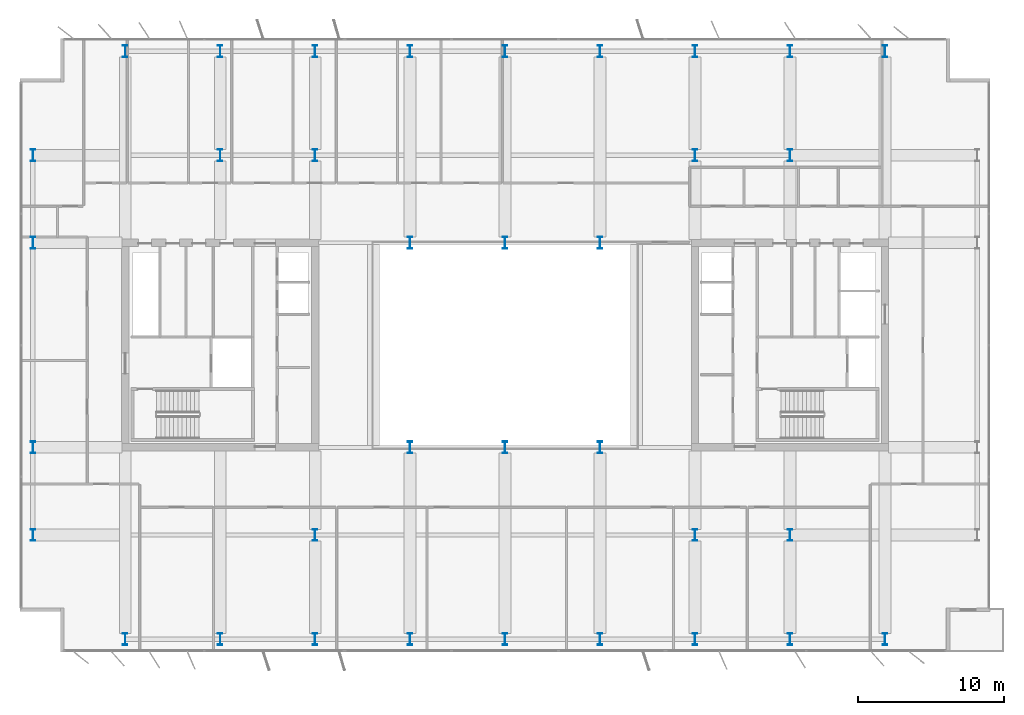
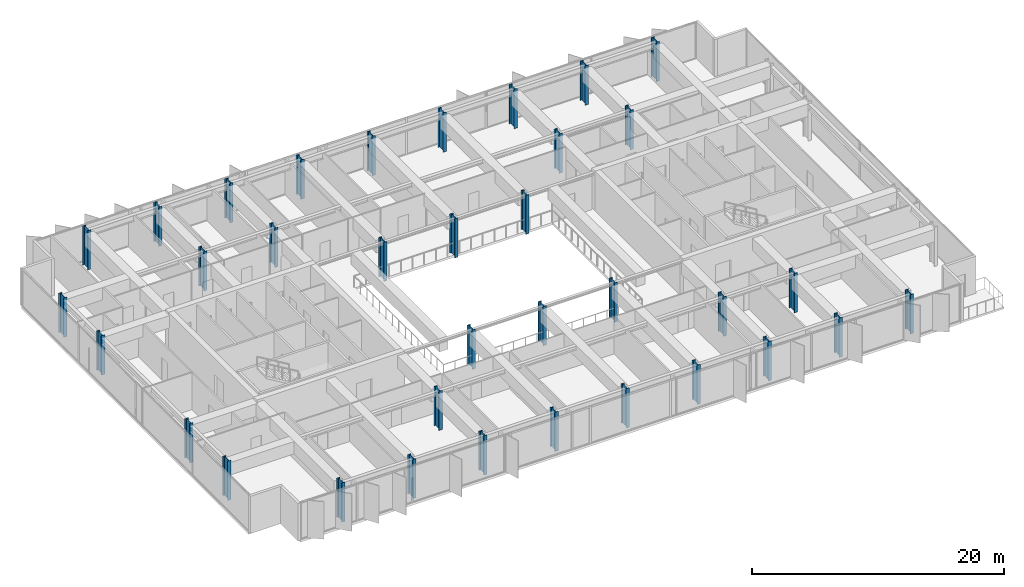
# One storey, part 1 of 24: 35 columns.
"""IFC4 building model written with IfcOpenShell, lengths in metres."""

from ifc_helpers import new_model, si_unit, direction, frame, origin, origin_2d, place, context, subcontext, project, spatial, i_section, extrude, material, material_profile, profile_set, type_object, element, save


model = new_model("IFC4")

# Units and contexts
model_context = context("Model", 3, precision=1e-05, world=origin(), true_north=direction((0.0, 1.0)))
body_context = subcontext(model_context, "Body", "Model", "MODEL_VIEW")
ifc_project = project(units=[si_unit("LENGTHUNIT", "METRE"), si_unit("AREAUNIT", "SQUARE_METRE"), si_unit("VOLUMEUNIT", "CUBIC_METRE"), si_unit("PLANEANGLEUNIT", "RADIAN"), si_unit("MASSUNIT", "GRAM", prefix="KILO")], contexts=[model_context])

# Site, building, storey
site_placement = place(None, origin())
site = spatial("IfcSite", under=ifc_project, at=site_placement, CompositionType="ELEMENT")
building_placement = place(site_placement, origin())
building = spatial("IfcBuilding", under=site, at=building_placement, Name="Putna Gate Headquarters", CompositionType="ELEMENT")
storey_placement = place(building_placement, frame((0.0, 0.0, 251.800048828125)))
storey = spatial("IfcBuildingStorey", under=building, at=storey_placement, Name="L63", CompositionType="ELEMENT", Elevation=251.800048828125)

# Columns
ifc_material = material(Name="Steel S460M", Category="steel")
ifc_material_profile_1 = material_profile(ifc_material, i_section(OverallWidth=0.302978515625, OverallDepth=0.81396484375, WebThickness=0.02099609375, FlangeThickness=0.0400390625, at=origin_2d()), Name="Steel S460M")
ifc_profile_set_1 = profile_set([ifc_material_profile_1], Name="Steel S460M")
column_type_1 = type_object("IfcColumnType", Name="COL-STL-HEM800-EXT", PredefinedType="COLUMN", material=ifc_profile_set_1)
for number, where, z_axis, x_axis, name in (
    (1, (13.0, 5.8798828125, 0.0), (0.0, 0.0, 1.0), (1.0, 0.0, 0.0), "L63 Column CP-S13"),
    (2, (13.0, 46.1201171875, 0.0), (0.0, 0.0, 1.0), (1.0, 0.0, 0.0), "L63 Column CP-N13"),
    (3, (19.5, 5.8798828125, 0.0), (0.0, 0.0, 1.0), (1.0, 0.0, 0.0), "L63 Column CP-S19"),
    (4, (19.5, 46.1201171875, 0.0), (0.0, 0.0, 1.0), (1.0, 0.0, 0.0), "L63 Column CP-N19"),
    (5, (26.0, 5.8798828125, 0.0), (0.0, 0.0, 1.0), (1.0, 0.0, 0.0), "L63 Column CP-S26"),
    (6, (26.0, 46.1201171875, 0.0), (0.0, 0.0, 1.0), (1.0, 0.0, 0.0), "L63 Column CP-N26"),
    (7, (32.5, 5.8798828125, 0.0), (0.0, 0.0, 1.0), (1.0, 0.0, 0.0), "L63 Column CP-S32"),
    (8, (32.5, 46.1201171875, 0.0), (0.0, 0.0, 1.0), (1.0, 0.0, 0.0), "L63 Column CP-N32"),
    (9, (39.0, 5.8798828125, 0.0), (0.0, 0.0, 1.0), (1.0, 0.0, 0.0), "L63 Column CP-S39"),
    (10, (39.0, 46.1201171875, 0.0), (0.0, 0.0, 1.0), (1.0, 0.0, 0.0), "L63 Column CP-N39"),
    (11, (45.5, 5.8798828125, 0.0), (0.0, 0.0, 1.0), (1.0, 0.0, 0.0), "L63 Column CP-S45"),
    (12, (45.5, 46.1201171875, 0.0), (0.0, 0.0, 1.0), (1.0, 0.0, 0.0), "L63 Column CP-N45"),
    (13, (52.0, 5.8798828125, 0.0), (0.0, 0.0, 1.0), (1.0, 0.0, 0.0), "L63 Column CP-S52"),
    (14, (52.0, 46.1201171875, 0.0), (0.0, 0.0, 1.0), (1.0, 0.0, 0.0), "L63 Column CP-N52"),
    (15, (58.5, 5.8798828125, 0.0), (0.0, 0.0, 1.0), (1.0, 0.0, 0.0), "L63 Column CP-S58"),
    (16, (58.5, 46.1201171875, 0.0), (0.0, 0.0, 1.0), (1.0, 0.0, 0.0), "L63 Column CP-N58"),
    (17, (65.0, 5.8798828125, 0.0), (0.0, 0.0, 1.0), (1.0, 0.0, 0.0), "L63 Column CP-S65"),
    (18, (65.0, 46.1201171875, 0.0), (0.0, 0.0, 1.0), (1.0, 0.0, 0.0), "L63 Column CP-N65"),
    (19, (6.679931640625, 13.0, 0.0), (0.0, 0.0, 1.0), (1.0, 0.0, 0.0), "L63 Column CP-W13"),
    (20, (6.679931640625, 19.0, 0.0), (0.0, 0.0, 1.0), (1.0, 0.0, 0.0), "L63 Column CP-W19"),
    (21, (6.679931640625, 33.0, 0.0), (0.0, 0.0, 1.0), (1.0, 0.0, 0.0), "L63 Column CP-W33"),
    (22, (6.679931640625, 39.0, 0.0), (0.0, 0.0, 1.0), (1.0, 0.0, 0.0), "L63 Column CP-W39"),
):
    element("IfcColumn", number, at=place(storey_placement, frame(where, z_axis=z_axis, x_axis=x_axis)), inside=storey, type_object=column_type_1, Name=name, PredefinedType="COLUMN", context=body_context, shape_type="SweptSolid", body=[
        extrude(i_section(OverallWidth=0.302978515625, OverallDepth=0.81396484375, WebThickness=0.02099609375, FlangeThickness=0.0400390625, at=origin_2d()), origin(), (0.0, 0.0, 1.0), 3.800048828125),
    ])
ifc_material_profile_2 = material_profile(ifc_material, i_section(OverallWidth=0.302978515625, OverallDepth=0.81396484375, WebThickness=0.02099609375, FlangeThickness=0.0400390625, at=origin_2d()), Name="Steel S460M")
ifc_profile_set_2 = profile_set([ifc_material_profile_2], Name="Steel S460M")
column_type_2 = type_object("IfcColumnType", Name="COL-STL-HEM800-INT", PredefinedType="COLUMN", material=ifc_profile_set_2)
for number, where, z_axis, x_axis, name in (
    (23, (19.5, 39.0, 0.0), (0.0, 0.0, 1.0), (1.0, 0.0, 0.0), "L63 Column CSI-WN"),
    (24, (58.5, 13.0, 0.0), (0.0, 0.0, 1.0), (1.0, 0.0, 0.0), "L63 Column CSI-ES"),
    (25, (58.5, 39.0, 0.0), (0.0, 0.0, 1.0), (1.0, 0.0, 0.0), "L63 Column CSI-EN"),
    (26, (32.5, 19.0, 0.0), (0.0, 0.0, 1.0), (1.0, 0.0, 0.0), "L63 Column CAI-S32"),
    (27, (32.5, 33.0, 0.0), (0.0, 0.0, 1.0), (1.0, 0.0, 0.0), "L63 Column CAI-N32"),
    (28, (39.0, 19.0, 0.0), (0.0, 0.0, 1.0), (1.0, 0.0, 0.0), "L63 Column CAI-S39"),
    (29, (39.0, 33.0, 0.0), (0.0, 0.0, 1.0), (1.0, 0.0, 0.0), "L63 Column CAI-N39"),
    (30, (45.5, 19.0, 0.0), (0.0, 0.0, 1.0), (1.0, 0.0, 0.0), "L63 Column CAI-S45"),
    (31, (45.5, 33.0, 0.0), (0.0, 0.0, 1.0), (1.0, 0.0, 0.0), "L63 Column CAI-N45"),
    (32, (26.0, 13.0, 0.0), (0.0, 0.0, 1.0), (1.0, 0.0, 0.0), "L63 Column CAP-WS"),
    (33, (26.0, 39.0, 0.0), (0.0, 0.0, 1.0), (1.0, 0.0, 0.0), "L63 Column CAP-WN"),
    (34, (52.0, 13.0, 0.0), (0.0, 0.0, 1.0), (1.0, 0.0, 0.0), "L63 Column CAP-ES"),
    (35, (52.0, 39.0, 0.0), (0.0, 0.0, 1.0), (1.0, 0.0, 0.0), "L63 Column CAP-EN"),
):
    element("IfcColumn", number, at=place(storey_placement, frame(where, z_axis=z_axis, x_axis=x_axis)), inside=storey, type_object=column_type_2, Name=name, PredefinedType="COLUMN", context=body_context, shape_type="SweptSolid", body=[
        extrude(i_section(OverallWidth=0.302978515625, OverallDepth=0.81396484375, WebThickness=0.02099609375, FlangeThickness=0.0400390625, at=origin_2d()), origin(), (0.0, 0.0, 1.0), 3.800048828125),
    ])

save(model, "model.ifc")
